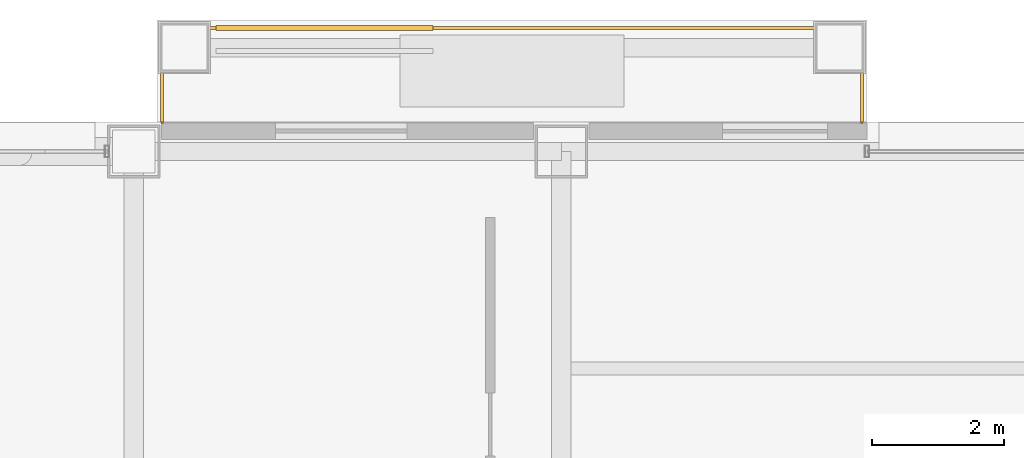
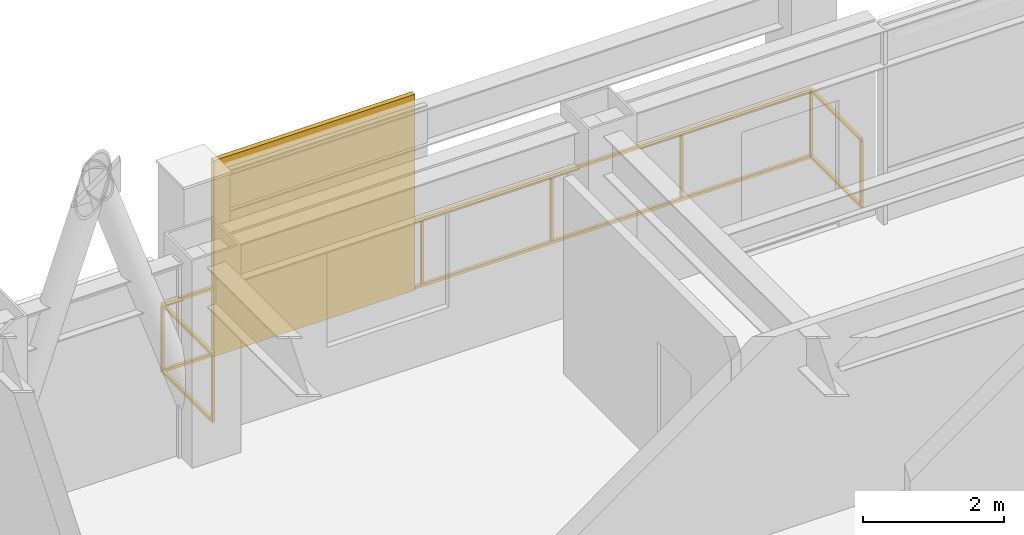
# One storey, part 32 of 33: 1 railing, 1 shading device.
"""IFC4 building model written with IfcOpenShell, lengths in metres."""

from ifc_helpers import new_model, si_unit, direction, frame, origin, origin_2d, place, context, subcontext, project, spatial, rectangle, extrude, material, layer, layer_set, type_object, element, save


model = new_model("IFC4")

# Units and contexts
model_context = context("Model", 3, precision=1e-05, world=origin(), true_north=direction((0.0, 1.0)))
body_context = subcontext(model_context, "Body", "Model", "MODEL_VIEW")
ifc_project = project(units=[si_unit("LENGTHUNIT", "METRE"), si_unit("AREAUNIT", "SQUARE_METRE"), si_unit("VOLUMEUNIT", "CUBIC_METRE"), si_unit("PLANEANGLEUNIT", "RADIAN"), si_unit("MASSUNIT", "GRAM", prefix="KILO")], contexts=[model_context])

# Site, building, storey
site_placement = place(None, origin())
site = spatial("IfcSite", under=ifc_project, at=site_placement, CompositionType="ELEMENT")
building_placement = place(site_placement, origin())
building = spatial("IfcBuilding", under=site, at=building_placement, Name="Brelmoor Portico Tower", CompositionType="ELEMENT")
storey_placement = place(building_placement, frame((0.0, 0.0, 120.60009765625)))
storey = spatial("IfcBuildingStorey", under=building, at=storey_placement, Name="L31", CompositionType="ELEMENT", Elevation=120.60009765625)

# Railing
ifc_material_1 = material(Name="Perforated Pale Champagne Aluminium Fretwork Guard", Category="aluminium")
railing_type = type_object("IfcRailingType", Name="RL-BALUSTRADE-1200", PredefinedType="BALUSTRADE", material=ifc_material_1)
railing_placement = place(storey_placement, frame((-14.1201171875, 20.0, 0.0)))
element("IfcRailing", 1, at=railing_placement, inside=storey, type_object=railing_type, Name="L31 Tree Balcony Fretwork Balustrade N", PredefinedType="BALUSTRADE", context=body_context, shape_type="SweptSolid", body=[
    extrude(rectangle(XDim=0.048095703125, YDim=0.048095703125, at=origin_2d()), frame((0.0, 0.0, 1.17578125), z_axis=(0.0, 1.0, 0.0), x_axis=(-1.0, 0.0, 0.0)), (0.0, 0.0, 1.0), 1.429931640625),
    extrude(rectangle(XDim=0.048095703125, YDim=0.048095703125, at=origin_2d()), frame((0.0, 0.0, 0.02392578125), z_axis=(0.0, 1.0, 0.0), x_axis=(-1.0, 0.0, 0.0)), (0.0, 0.0, 1.0), 1.429931640625),
    extrude(rectangle(XDim=0.048095703125, YDim=0.048095703125, at=origin_2d()), frame((0.0, 1.429931640625, 1.17578125), z_axis=(1.0, 0.0, 0.0), x_axis=(0.0, 1.0, 0.0)), (0.0, 0.0, 1.0), 10.64013671875),
    extrude(rectangle(XDim=0.048095703125, YDim=0.048095703125, at=origin_2d()), frame((0.0, 1.429931640625, 0.02392578125), z_axis=(1.0, 0.0, 0.0), x_axis=(0.0, 1.0, 0.0)), (0.0, 0.0, 1.0), 10.64013671875),
    extrude(rectangle(XDim=0.048095703125, YDim=0.048095703125, at=origin_2d()), frame((10.64013671875, 1.429931640625, 1.17578125), z_axis=(0.0, -1.0, 0.0), x_axis=(1.0, 0.0, 0.0)), (0.0, 0.0, 1.0), 1.429931640625),
    extrude(rectangle(XDim=0.048095703125, YDim=0.048095703125, at=origin_2d()), frame((10.64013671875, 1.429931640625, 0.02392578125), z_axis=(0.0, -1.0, 0.0), x_axis=(1.0, 0.0, 0.0)), (0.0, 0.0, 1.0), 1.429931640625),
    extrude(rectangle(XDim=0.0419921875, YDim=0.0419921875, at=origin_2d()), origin(), (0.0, 0.0, 1.0), 1.15185546875),
    extrude(rectangle(XDim=0.0419921875, YDim=0.0419921875, at=origin_2d()), frame((0.0, 1.429931640625, 0.0)), (0.0, 0.0, 1.0), 1.15185546875),
    extrude(rectangle(XDim=0.0419921875, YDim=0.0419921875, at=origin_2d()), frame((2.1279296875, 1.429931640625, 0.0)), (0.0, 0.0, 1.0), 1.15185546875),
    extrude(rectangle(XDim=0.0419921875, YDim=0.0419921875, at=origin_2d()), frame((4.256103515625, 1.429931640625, 0.0)), (0.0, 0.0, 1.0), 1.15185546875),
    extrude(rectangle(XDim=0.0419921875, YDim=0.0419921875, at=origin_2d()), frame((6.384033203125, 1.429931640625, 0.0)), (0.0, 0.0, 1.0), 1.15185546875),
    extrude(rectangle(XDim=0.0419921875, YDim=0.0419921875, at=origin_2d()), frame((8.51220703125, 1.429931640625, 0.0)), (0.0, 0.0, 1.0), 1.15185546875),
    extrude(rectangle(XDim=0.0419921875, YDim=0.0419921875, at=origin_2d()), frame((10.64013671875, 1.429931640625, 0.0)), (0.0, 0.0, 1.0), 1.15185546875),
    extrude(rectangle(XDim=0.0419921875, YDim=0.0419921875, at=origin_2d()), frame((10.64013671875, 0.0, 0.0)), (0.0, 0.0, 1.0), 1.15185546875),
])

# Shading device
ifc_material_2 = material(Name="Powder-Coated Aluminium Shuttered Jalousie", Category="aluminium")
ifc_layer = layer(ifc_material_2, 0.080078125)
ifc_layer_set = layer_set([ifc_layer], Name="Powder-Coated Aluminium Shuttered Jalousie")
shading_device_type = type_object("IfcShadingDeviceType", Name="SD-JALOUSIE-LOGGIA", PredefinedType="JALOUSIE", material=ifc_layer_set)
shading_device_placement = place(storey_placement, frame((-11.64990234375, 21.429931640625, 0.0), z_axis=(0.0, 0.0, 1.0), x_axis=(1.0, 0.0, 0.0)))
element("IfcShadingDevice", 2, at=shading_device_placement, inside=storey, type_object=shading_device_type, Name="L31 Loggia Shuttered Jalousie N", PredefinedType="JALOUSIE", context=body_context, shape_type="SweptSolid", body=[
    extrude(rectangle(XDim=3.300048828125, YDim=0.080078125, at=origin_2d()), origin(), (0.0, 0.0, 1.0), 3.39990234375),
])

save(model, "model.ifc")
